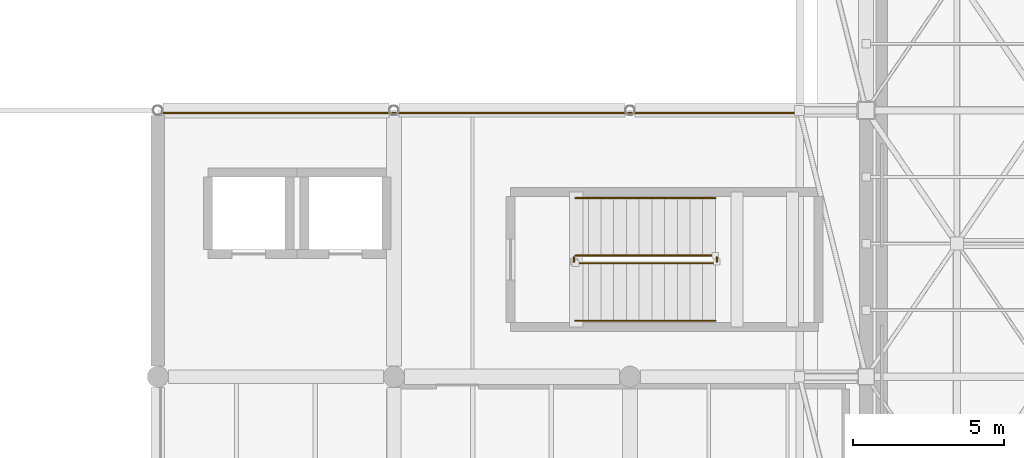
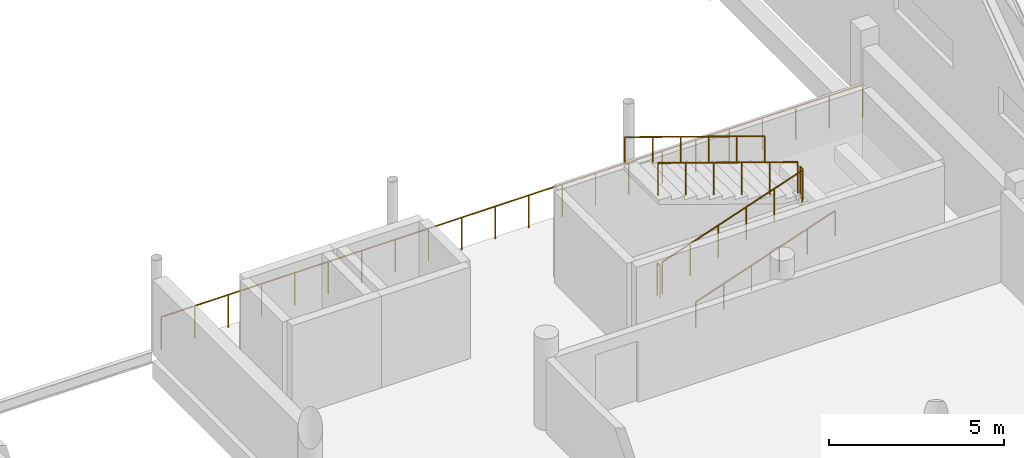
# One storey, part 54 of 55: 7 railings.
"""IFC4 building model written with IfcOpenShell, lengths in metres."""

from ifc_helpers import new_model, si_unit, direction, frame, origin, origin_2d, place, context, subcontext, project, spatial, circle, extrude, material, layer, layer_set, type_object, element, save


model = new_model("IFC4")

# Units and contexts
model_context = context("Model", 3, precision=1e-05, world=origin(), true_north=direction((0.0, 1.0)))
body_context = subcontext(model_context, "Body", "Model", "MODEL_VIEW")
ifc_project = project(units=[si_unit("LENGTHUNIT", "METRE"), si_unit("AREAUNIT", "SQUARE_METRE"), si_unit("VOLUMEUNIT", "CUBIC_METRE"), si_unit("PLANEANGLEUNIT", "RADIAN"), si_unit("MASSUNIT", "GRAM", prefix="KILO")], contexts=[model_context])

# Site, building, storey
site_placement = place(None, origin())
site = spatial("IfcSite", under=ifc_project, at=site_placement, CompositionType="ELEMENT")
building_placement = place(site_placement, origin())
building = spatial("IfcBuilding", under=site, at=building_placement, Name="Varnakota Cinema and Media Centre", CompositionType="ELEMENT")
storey_placement = place(building_placement, frame((0.0, 0.0, 15.60009765625)))
storey = spatial("IfcBuildingStorey", under=building, at=storey_placement, Name="L04", CompositionType="ELEMENT", Elevation=15.60009765625)

# Railings
ifc_material_1 = material(Name="Anodised golden-bronze steel Grade 350 (E350)", Category="steel")
ifc_layer_1 = layer(ifc_material_1, 0.050048828125)
ifc_layer_set_1 = layer_set([ifc_layer_1], Name="Anodised golden-bronze steel Grade 350 (E350)")
railing_type_1 = type_object("IfcRailingType", Name="RAIL-GUARD-1150", PredefinedType="BALUSTRADE", material=ifc_layer_set_1)
railing_1_placement = place(storey_placement, frame((51.7099609375, 26.320068359375, 0.0)))
element("IfcRailing", 1, at=railing_1_placement, inside=storey, type_object=railing_type_1, Name="L04 guard balustrade GRD-V6GAL-N-L04-1", PredefinedType="BALUSTRADE", context=body_context, shape_type="SweptSolid", body=[
    extrude(circle(Radius=0.02392578125, at=origin_2d()), frame((0.0, 0.0, 1.1259765625), z_axis=(1.0, 0.0, 0.0), x_axis=(0.0, 1.0, 0.0)), (0.0, 0.0, 1.0), 23.179931640625),
    extrude(circle(Radius=0.02099609375, at=origin_2d()), origin(), (0.0, 0.0, 1.0), 1.101806640625),
    extrude(circle(Radius=0.02099609375, at=origin_2d()), frame((1.103759765625, 0.0, 0.0)), (0.0, 0.0, 1.0), 1.101806640625),
    extrude(circle(Radius=0.02099609375, at=origin_2d()), frame((2.20751953125, 0.0, 0.0)), (0.0, 0.0, 1.0), 1.101806640625),
    extrude(circle(Radius=0.02099609375, at=origin_2d()), frame((3.3115234375, 0.0, 0.0)), (0.0, 0.0, 1.0), 1.101806640625),
    extrude(circle(Radius=0.02099609375, at=origin_2d()), frame((4.415283203125, 0.0, 0.0)), (0.0, 0.0, 1.0), 1.101806640625),
    extrude(circle(Radius=0.02099609375, at=origin_2d()), frame((5.51904296875, 0.0, 0.0)), (0.0, 0.0, 1.0), 1.101806640625),
    extrude(circle(Radius=0.02099609375, at=origin_2d()), frame((6.622802734375, 0.0, 0.0)), (0.0, 0.0, 1.0), 1.101806640625),
    extrude(circle(Radius=0.02099609375, at=origin_2d()), frame((7.7265625, 0.0, 0.0)), (0.0, 0.0, 1.0), 1.101806640625),
    extrude(circle(Radius=0.02099609375, at=origin_2d()), frame((8.83056640625, 0.0, 0.0)), (0.0, 0.0, 1.0), 1.101806640625),
    extrude(circle(Radius=0.02099609375, at=origin_2d()), frame((9.934326171875, 0.0, 0.0)), (0.0, 0.0, 1.0), 1.101806640625),
    extrude(circle(Radius=0.02099609375, at=origin_2d()), frame((11.0380859375, 0.0, 0.0)), (0.0, 0.0, 1.0), 1.101806640625),
    extrude(circle(Radius=0.02099609375, at=origin_2d()), frame((12.141845703125, 0.0, 0.0)), (0.0, 0.0, 1.0), 1.101806640625),
    extrude(circle(Radius=0.02099609375, at=origin_2d()), frame((13.24560546875, 0.0, 0.0)), (0.0, 0.0, 1.0), 1.101806640625),
    extrude(circle(Radius=0.02099609375, at=origin_2d()), frame((14.349365234375, 0.0, 0.0)), (0.0, 0.0, 1.0), 1.101806640625),
    extrude(circle(Radius=0.02099609375, at=origin_2d()), frame((15.453369140625, 0.0, 0.0)), (0.0, 0.0, 1.0), 1.101806640625),
    extrude(circle(Radius=0.02099609375, at=origin_2d()), frame((16.55712890625, 0.0, 0.0)), (0.0, 0.0, 1.0), 1.101806640625),
    extrude(circle(Radius=0.02099609375, at=origin_2d()), frame((17.660888671875, 0.0, 0.0)), (0.0, 0.0, 1.0), 1.101806640625),
    extrude(circle(Radius=0.02099609375, at=origin_2d()), frame((18.7646484375, 0.0, 0.0)), (0.0, 0.0, 1.0), 1.101806640625),
    extrude(circle(Radius=0.02099609375, at=origin_2d()), frame((19.868408203125, 0.0, 0.0)), (0.0, 0.0, 1.0), 1.101806640625),
    extrude(circle(Radius=0.02099609375, at=origin_2d()), frame((20.972412109375, 0.0, 0.0)), (0.0, 0.0, 1.0), 1.101806640625),
    extrude(circle(Radius=0.02099609375, at=origin_2d()), frame((22.076171875, 0.0, 0.0)), (0.0, 0.0, 1.0), 1.101806640625),
    extrude(circle(Radius=0.02099609375, at=origin_2d()), frame((23.179931640625, 0.0, 0.0)), (0.0, 0.0, 1.0), 1.101806640625),
])
ifc_material_2 = material(Name="Structural steel Grade 350 (E350)", Category="steel")
ifc_layer_2 = layer(ifc_material_2, 0.050048828125)
ifc_layer_set_2 = layer_set([ifc_layer_2], Name="Structural steel Grade 350 (E350)")
railing_type_2 = type_object("IfcRailingType", Name="RAIL-STAIR-GUARD-1150", PredefinedType="GUARDRAIL", material=ifc_layer_set_2)
railing_2_placement = place(storey_placement, frame((65.39990234375, 21.35009765625, 0.1435546875)))
element("IfcRailing", 2, at=railing_2_placement, inside=storey, type_object=railing_type_2, Name="L04 ST-04 stair guard 1", PredefinedType="GUARDRAIL", context=body_context, shape_type="SweptSolid", body=[
    extrude(circle(Radius=0.02392578125, at=origin_2d()), frame((0.0, 0.0, 1.1259765625), z_axis=(0.946118040162, 0.0, 0.323821948115), x_axis=(0.0, 1.0, 0.0)), (0.0, 0.0, 1.0), 4.88330078125),
    extrude(circle(Radius=0.02099609375, at=origin_2d()), origin(), (0.0, 0.0, 1.0), 1.101806640625),
    extrude(circle(Radius=0.02099609375, at=origin_2d()), frame((0.924072265625, 0.0, 0.316162109375)), (0.0, 0.0, 1.0), 1.101806640625),
    extrude(circle(Radius=0.02099609375, at=origin_2d()), frame((1.84814453125, 0.0, 0.632568359375)), (0.0, 0.0, 1.0), 1.101806640625),
    extrude(circle(Radius=0.02099609375, at=origin_2d()), frame((2.77197265625, 0.0, 0.94873046875)), (0.0, 0.0, 1.0), 1.101806640625),
    extrude(circle(Radius=0.02099609375, at=origin_2d()), frame((3.696044921875, 0.0, 1.26513671875)), (0.0, 0.0, 1.0), 1.101806640625),
    extrude(circle(Radius=0.02099609375, at=origin_2d()), frame((4.6201171875, 0.0, 1.581298828125)), (0.0, 0.0, 1.0), 1.101806640625),
])
railing_3_placement = place(storey_placement, frame((70.070068359375, 21.39990234375, 1.724853515625)))
element("IfcRailing", 3, at=railing_3_placement, inside=storey, type_object=railing_type_2, Name="L04 ST-04 stair guard 2", PredefinedType="GUARDRAIL", context=body_context, shape_type="SweptSolid", body=[
    extrude(circle(Radius=0.02392578125, at=origin_2d()), frame((0.0, 0.0, 1.1259765625), z_axis=(0.0, 1.0, 0.0), x_axis=(-1.0, 0.0, 0.0)), (0.0, 0.0, 1.0), 0.150146484375),
    extrude(circle(Radius=0.02099609375, at=origin_2d()), origin(), (0.0, 0.0, 1.0), 1.101806640625),
    extrude(circle(Radius=0.02099609375, at=origin_2d()), frame((0.0, 0.150146484375, 0.0)), (0.0, 0.0, 1.0), 1.101806640625),
])
railing_4_placement = place(storey_placement, frame((70.02001953125, 21.60009765625, 1.86865234375)))
element("IfcRailing", 4, at=railing_4_placement, inside=storey, type_object=railing_type_2, Name="L04 ST-04 stair guard 3", PredefinedType="GUARDRAIL", context=body_context, shape_type="SweptSolid", body=[
    extrude(circle(Radius=0.02392578125, at=origin_2d()), frame((0.0, 0.0, 1.1259765625), z_axis=(-0.946118040162, 0.0, 0.323821948115), x_axis=(0.0, -1.0, 0.0)), (0.0, 0.0, 1.0), 4.88330078125),
    extrude(circle(Radius=0.02099609375, at=origin_2d()), origin(), (0.0, 0.0, 1.0), 1.101806640625),
    extrude(circle(Radius=0.02099609375, at=origin_2d()), frame((-0.924072265625, 0.0, 0.316162109375)), (0.0, 0.0, 1.0), 1.101806640625),
    extrude(circle(Radius=0.02099609375, at=origin_2d()), frame((-1.84814453125, 0.0, 0.632568359375)), (0.0, 0.0, 1.0), 1.101806640625),
    extrude(circle(Radius=0.02099609375, at=origin_2d()), frame((-2.77197265625, 0.0, 0.94873046875)), (0.0, 0.0, 1.0), 1.101806640625),
    extrude(circle(Radius=0.02099609375, at=origin_2d()), frame((-3.696044921875, 0.0, 1.26513671875)), (0.0, 0.0, 1.0), 1.101806640625),
    extrude(circle(Radius=0.02099609375, at=origin_2d()), frame((-4.6201171875, 0.0, 1.581298828125)), (0.0, 0.0, 1.0), 1.101806640625),
])
railing_5_placement = place(storey_placement, frame((65.35009765625, 21.39990234375, 0.0)))
element("IfcRailing", 5, at=railing_5_placement, inside=storey, type_object=railing_type_2, Name="L04 ST-04 stair guard 4", PredefinedType="GUARDRAIL", context=body_context, shape_type="SweptSolid", body=[
    extrude(circle(Radius=0.02392578125, at=origin_2d()), frame((0.0, 0.0, 1.1259765625), z_axis=(0.0, 1.0, 0.0), x_axis=(-1.0, 0.0, 0.0)), (0.0, 0.0, 1.0), 0.150146484375),
    extrude(circle(Radius=0.02099609375, at=origin_2d()), origin(), (0.0, 0.0, 1.0), 1.101806640625),
    extrude(circle(Radius=0.02099609375, at=origin_2d()), frame((0.0, 0.150146484375, 0.0)), (0.0, 0.0, 1.0), 1.101806640625),
])
ifc_material_3 = material(Name="Structural steel Grade 350 (E350)", Category="steel")
ifc_layer_3 = layer(ifc_material_3, 0.048095703125)
ifc_layer_set_3 = layer_set([ifc_layer_3], Name="Structural steel Grade 350 (E350)")
railing_type_3 = type_object("IfcRailingType", Name="RAIL-STAIR-HAND-900", PredefinedType="HANDRAIL", material=ifc_layer_set_3)
railing_6_placement = place(storey_placement, frame((65.39990234375, 19.449951171875, 0.1435546875)))
element("IfcRailing", 6, at=railing_6_placement, inside=storey, type_object=railing_type_3, Name="L04 ST-04 stair handrail 1", PredefinedType="HANDRAIL", context=body_context, shape_type="SweptSolid", body=[
    extrude(circle(Radius=0.02392578125, at=origin_2d()), frame((0.0, 0.0, 0.8759765625), z_axis=(0.946118040162, 0.0, 0.323821948115), x_axis=(0.0, 1.0, 0.0)), (0.0, 0.0, 1.0), 4.88330078125),
    extrude(circle(Radius=0.02099609375, at=origin_2d()), origin(), (0.0, 0.0, 1.0), 0.851806640625),
    extrude(circle(Radius=0.02099609375, at=origin_2d()), frame((0.924072265625, 0.0, 0.316162109375)), (0.0, 0.0, 1.0), 0.851806640625),
    extrude(circle(Radius=0.02099609375, at=origin_2d()), frame((1.84814453125, 0.0, 0.632568359375)), (0.0, 0.0, 1.0), 0.851806640625),
    extrude(circle(Radius=0.02099609375, at=origin_2d()), frame((2.77197265625, 0.0, 0.94873046875)), (0.0, 0.0, 1.0), 0.851806640625),
    extrude(circle(Radius=0.02099609375, at=origin_2d()), frame((3.696044921875, 0.0, 1.26513671875)), (0.0, 0.0, 1.0), 0.851806640625),
    extrude(circle(Radius=0.02099609375, at=origin_2d()), frame((4.6201171875, 0.0, 1.581298828125)), (0.0, 0.0, 1.0), 0.851806640625),
])
railing_7_placement = place(storey_placement, frame((70.02001953125, 23.5, 1.86865234375)))
element("IfcRailing", 7, at=railing_7_placement, inside=storey, type_object=railing_type_3, Name="L04 ST-04 stair handrail 2", PredefinedType="HANDRAIL", context=body_context, shape_type="SweptSolid", body=[
    extrude(circle(Radius=0.02392578125, at=origin_2d()), frame((0.0, 0.0, 0.8759765625), z_axis=(-0.946118040162, 0.0, 0.323821948115), x_axis=(0.0, -1.0, 0.0)), (0.0, 0.0, 1.0), 4.88330078125),
    extrude(circle(Radius=0.02099609375, at=origin_2d()), origin(), (0.0, 0.0, 1.0), 0.851806640625),
    extrude(circle(Radius=0.02099609375, at=origin_2d()), frame((-0.924072265625, 0.0, 0.316162109375)), (0.0, 0.0, 1.0), 0.851806640625),
    extrude(circle(Radius=0.02099609375, at=origin_2d()), frame((-1.84814453125, 0.0, 0.632568359375)), (0.0, 0.0, 1.0), 0.851806640625),
    extrude(circle(Radius=0.02099609375, at=origin_2d()), frame((-2.77197265625, 0.0, 0.94873046875)), (0.0, 0.0, 1.0), 0.851806640625),
    extrude(circle(Radius=0.02099609375, at=origin_2d()), frame((-3.696044921875, 0.0, 1.26513671875)), (0.0, 0.0, 1.0), 0.851806640625),
    extrude(circle(Radius=0.02099609375, at=origin_2d()), frame((-4.6201171875, 0.0, 1.581298828125)), (0.0, 0.0, 1.0), 0.851806640625),
])

save(model, "model.ifc")
